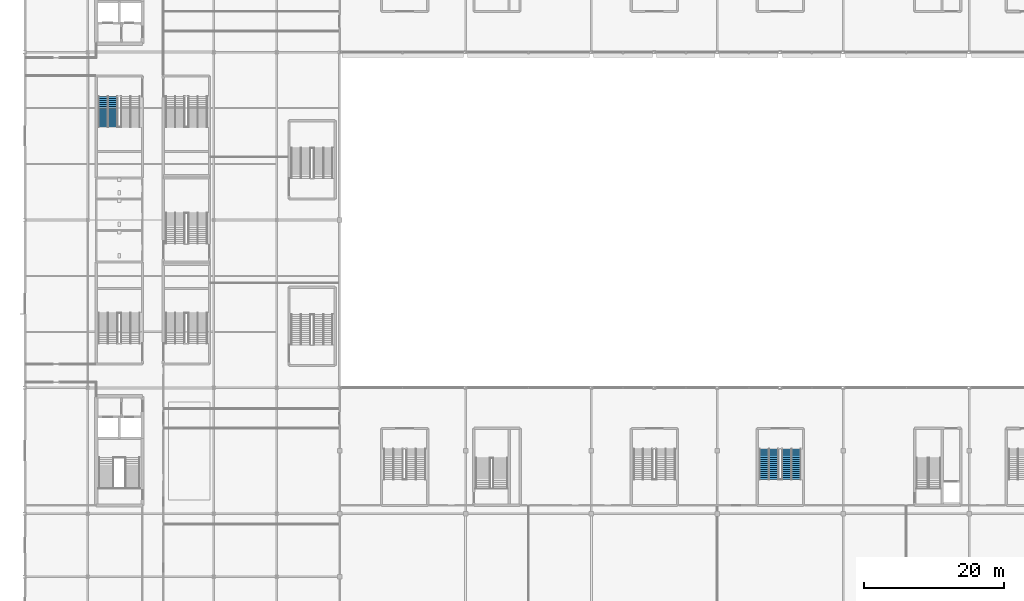
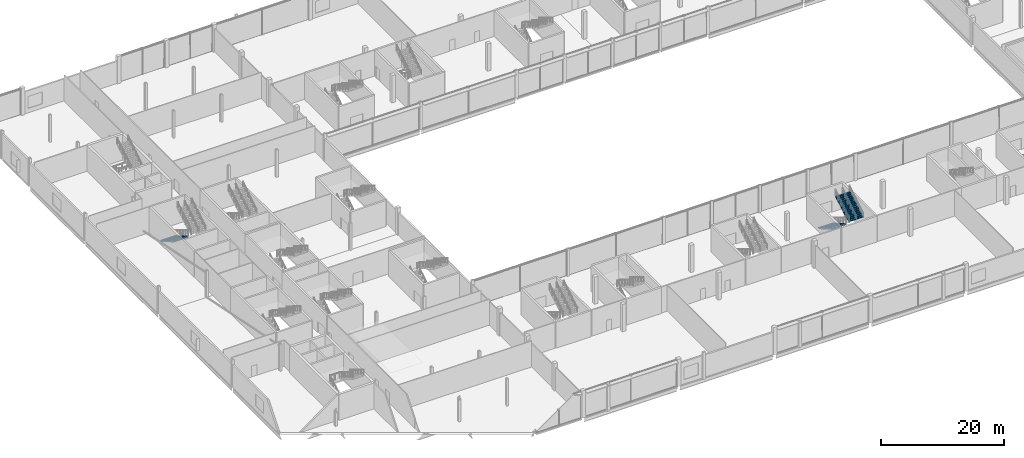
# One storey, part 85 of 111: 3 stair flights, 2 elements without a shape of their own.
"""IFC4 building model written with IfcOpenShell, lengths in metres."""

from ifc_helpers import new_model, si_unit, direction, frame, origin, place, context, subcontext, project, spatial, polygons, material, type_object, element, aggregate, save


model = new_model("IFC4")

# Units and contexts
model_context = context("Model", 3, precision=1e-05, world=origin(), true_north=direction((0.0, 1.0)))
body_context = subcontext(model_context, "Body", "Model", "MODEL_VIEW")
ifc_project = project(units=[si_unit("LENGTHUNIT", "METRE"), si_unit("AREAUNIT", "SQUARE_METRE"), si_unit("VOLUMEUNIT", "CUBIC_METRE"), si_unit("PLANEANGLEUNIT", "RADIAN"), si_unit("MASSUNIT", "GRAM", prefix="KILO")], contexts=[model_context])

# Site, building, storey
site_placement = place(None, origin())
site = spatial("IfcSite", under=ifc_project, at=site_placement, CompositionType="ELEMENT")
building_placement = place(site_placement, origin())
building = spatial("IfcBuilding", under=site, at=building_placement, Name="Kisiwana Market Hall", CompositionType="ELEMENT")
storey_placement = place(building_placement, frame((0.0, 0.0, 11.39990234375)))
storey = spatial("IfcBuildingStorey", under=building, at=storey_placement, Name="L02", CompositionType="ELEMENT", Elevation=11.39990234375)

# Stair, stair flight
ifc_material_1 = material(Name="Concrete C32/40", Category="concrete")
stair_type = type_object("IfcStairType", Name="ST-ESC-5400", PredefinedType="TWO_STRAIGHT_RUN_STAIR", material=ifc_material_1)
stair_1_placement = place(storey_placement, origin())
stair_1 = element("IfcStair", 1, at=stair_1_placement, inside=storey, type_object=stair_type, Name="Escape stair ST-W4-L02", PredefinedType="TWO_STRAIGHT_RUN_STAIR")
ifc_material_2 = material(Name="Concrete C32/40", Category="concrete")
stair_flight_type = type_object("IfcStairFlightType", Name="SF-ESC-5400", PredefinedType="STRAIGHT", material=ifc_material_2)
stair_flight_1_placement = place(storey_placement, frame((11.889892578125, 77.639892578125, 0.0), z_axis=(0.0, 0.0, 1.0), x_axis=(0.0, -1.0, 0.0)))
stair_flight_1 = element("IfcStairFlight", 2, at=stair_flight_1_placement, type_object=stair_flight_type, Name="ST-W4-L02 flight 1", NumberOfRisers=16, NumberOfTreads=15, PredefinedType="STRAIGHT", RiserHeight=0.16875, TreadLength=0.29, context=body_context, shape_type="Tessellation", body=[
    polygons([(0.0, -1.380127, 0.0), (0.0, -0.690125, 0.0), (0.0, -0.000122, 0.0), (0.0, 0.68988, 0.0), (0.0, 1.379883, 0.0), (0.0, -1.380127, 0.168701), (0.0, -0.690125, 0.168701), (0.0, -0.000122, 0.168701), (0.0, 0.68988, 0.168701), (0.0, 1.379883, 0.168701), (0.290039, -1.380127, 0.168701), (0.290039, -0.690125, 0.168701), (0.290039, -0.000122, 0.168701), (0.290039, 0.68988, 0.168701), (0.290039, 1.379883, 0.168701), (0.290039, -1.380127, 0.337402), (0.290039, -0.690125, 0.337402), (0.290039, -0.000122, 0.337402), (0.290039, 0.68988, 0.337402), (0.290039, 1.379883, 0.337402), (0.580078, -1.380127, 0.337402), (0.580078, -0.690125, 0.337402), (0.580078, -0.000122, 0.337402), (0.580078, 0.68988, 0.337402), (0.580078, 1.379883, 0.337402), (0.580078, -1.380127, 0.506348), (0.580078, -0.690125, 0.506348), (0.580078, -0.000122, 0.506348), (0.580078, 0.68988, 0.506348), (0.580078, 1.379883, 0.506348), (0.870117, -1.380127, 0.506348), (0.870117, -0.690125, 0.506348), (0.870117, -0.000122, 0.506348), (0.870117, 0.68988, 0.506348), (0.870117, 1.379883, 0.506348), (0.870117, -1.380127, 0.675049), (0.870117, -0.690125, 0.675049), (0.870117, -0.000122, 0.675049), (0.870117, 0.68988, 0.675049), (0.870117, 1.379883, 0.675049), (1.159912, -1.380127, 0.675049), (1.159912, -0.690125, 0.675049), (1.159912, -0.000122, 0.675049), (1.159912, 0.68988, 0.675049), (1.159912, 1.379883, 0.675049), (1.159912, -1.380127, 0.84375), (1.159912, -0.690125, 0.84375), (1.159912, -0.000122, 0.84375), (1.159912, 0.68988, 0.84375), (1.159912, 1.379883, 0.84375), (1.449951, -1.380127, 0.84375), (1.449951, -0.690125, 0.84375), (1.449951, -0.000122, 0.84375), (1.449951, 0.68988, 0.84375), (1.449951, 1.379883, 0.84375), (1.449951, -1.380127, 1.012451), (1.449951, -0.690125, 1.012451), (1.449951, -0.000122, 1.012451), (1.449951, 0.68988, 1.012451), (1.449951, 1.379883, 1.012451), (1.73999, -1.380127, 1.012451), (1.73999, -0.690125, 1.012451), (1.73999, -0.000122, 1.012451), (1.73999, 0.68988, 1.012451), (1.73999, 1.379883, 1.012451), (1.73999, -1.380127, 1.181152), (1.73999, -0.690125, 1.181152), (1.73999, -0.000122, 1.181152), (1.73999, 0.68988, 1.181152), (1.73999, 1.379883, 1.181152), (2.030029, -1.380127, 1.181152), (2.030029, -0.690125, 1.181152), (2.030029, -0.000122, 1.181152), (2.030029, 0.68988, 1.181152), (2.030029, 1.379883, 1.181152), (2.030029, -1.380127, 1.350098), (2.030029, -0.690125, 1.350098), (2.030029, -0.000122, 1.350098), (2.030029, 0.68988, 1.350098), (2.030029, 1.379883, 1.350098), (2.320068, -1.380127, 1.350098), (2.320068, -0.690125, 1.350098), (2.320068, -0.000122, 1.350098), (2.320068, 0.68988, 1.350098), (2.320068, 1.379883, 1.350098), (2.320068, -1.380127, 1.518799), (2.320068, -0.690125, 1.518799), (2.320068, -0.000122, 1.518799), (2.320068, 0.68988, 1.518799), (2.320068, 1.379883, 1.518799), (2.610107, -1.380127, 1.518799), (2.610107, -0.690125, 1.518799), (2.610107, -0.000122, 1.518799), (2.610107, 0.68988, 1.518799), (2.610107, 1.379883, 1.518799), (2.610107, -1.380127, 1.6875), (2.610107, -0.690125, 1.6875), (2.610107, -0.000122, 1.6875), (2.610107, 0.68988, 1.6875), (2.610107, 1.379883, 1.6875), (2.899902, -1.380127, 1.6875), (2.899902, -0.690125, 1.6875), (2.899902, -0.000122, 1.6875), (2.899902, 0.68988, 1.6875), (2.899902, 1.379883, 1.6875), (2.899902, -1.380127, 1.856201), (2.899902, -0.690125, 1.856201), (2.899902, -0.000122, 1.856201), (2.899902, 0.68988, 1.856201), (2.899902, 1.379883, 1.856201), (3.189941, -1.380127, 1.856201), (3.189941, -0.690125, 1.856201), (3.189941, -0.000122, 1.856201), (3.189941, 0.68988, 1.856201), (3.189941, 1.379883, 1.856201), (3.189941, -1.380127, 2.024902), (3.189941, -0.690125, 2.024902), (3.189941, -0.000122, 2.024902), (3.189941, 0.68988, 2.024902), (3.189941, 1.379883, 2.024902), (3.47998, -1.380127, 2.024902), (3.47998, -0.690125, 2.024902), (3.47998, -0.000122, 2.024902), (3.47998, 0.68988, 2.024902), (3.47998, 1.379883, 2.024902), (3.47998, -1.380127, 2.193848), (3.47998, -0.690125, 2.193848), (3.47998, -0.000122, 2.193848), (3.47998, 0.68988, 2.193848), (3.47998, 1.379883, 2.193848), (3.77002, -1.380127, 2.193848), (3.77002, -0.690125, 2.193848), (3.77002, -0.000122, 2.193848), (3.77002, 0.68988, 2.193848), (3.77002, 1.379883, 2.193848), (3.77002, -1.380127, 2.362549), (3.77002, -0.690125, 2.362549), (3.77002, -0.000122, 2.362549), (3.77002, 0.68988, 2.362549), (3.77002, 1.379883, 2.362549), (4.060059, -1.380127, 2.362549), (4.060059, -0.690125, 2.362549), (4.060059, -0.000122, 2.362549), (4.060059, 0.68988, 2.362549), (4.060059, 1.379883, 2.362549), (4.060059, -1.380127, 2.53125), (4.060059, -0.690125, 2.53125), (4.060059, -0.000122, 2.53125), (4.060059, 0.68988, 2.53125), (4.060059, 1.379883, 2.53125), (4.350098, -1.380127, 2.53125), (4.350098, -0.690125, 2.53125), (4.350098, -0.000122, 2.53125), (4.350098, 0.68988, 2.53125), (4.350098, 1.379883, 2.53125), (4.350098, -1.380127, 2.322998), (4.350098, -0.690125, 2.322998), (4.350098, -0.000122, 2.322998), (4.350098, 0.68988, 2.322998), (4.350098, 1.379883, 2.322998), (0.357666, -1.380127, 0.0), (0.357666, -0.690125, 0.0), (0.357666, -0.000122, 0.0), (0.357666, 0.68988, 0.0), (0.357666, 1.379883, 0.0)], [[[1, 6, 7, 2]], [[2, 7, 8, 3]], [[3, 8, 9, 4]], [[4, 9, 10, 5]], [[6, 11, 12, 7]], [[7, 12, 13, 8]], [[8, 13, 14, 9]], [[9, 14, 15, 10]], [[11, 16, 17, 12]], [[12, 17, 18, 13]], [[13, 18, 19, 14]], [[14, 19, 20, 15]], [[16, 21, 22, 17]], [[17, 22, 23, 18]], [[18, 23, 24, 19]], [[19, 24, 25, 20]], [[21, 26, 27, 22]], [[22, 27, 28, 23]], [[23, 28, 29, 24]], [[24, 29, 30, 25]], [[26, 31, 32, 27]], [[27, 32, 33, 28]], [[28, 33, 34, 29]], [[29, 34, 35, 30]], [[31, 36, 37, 32]], [[32, 37, 38, 33]], [[33, 38, 39, 34]], [[34, 39, 40, 35]], [[36, 41, 42, 37]], [[37, 42, 43, 38]], [[38, 43, 44, 39]], [[39, 44, 45, 40]], [[41, 46, 47, 42]], [[42, 47, 48, 43]], [[43, 48, 49, 44]], [[44, 49, 50, 45]], [[46, 51, 52, 47]], [[47, 52, 53, 48]], [[48, 53, 54, 49]], [[49, 54, 55, 50]], [[51, 56, 57, 52]], [[52, 57, 58, 53]], [[53, 58, 59, 54]], [[54, 59, 60, 55]], [[56, 61, 62, 57]], [[57, 62, 63, 58]], [[58, 63, 64, 59]], [[59, 64, 65, 60]], [[61, 66, 67, 62]], [[62, 67, 68, 63]], [[63, 68, 69, 64]], [[64, 69, 70, 65]], [[66, 71, 72, 67]], [[67, 72, 73, 68]], [[68, 73, 74, 69]], [[69, 74, 75, 70]], [[71, 76, 77, 72]], [[72, 77, 78, 73]], [[73, 78, 79, 74]], [[74, 79, 80, 75]], [[76, 81, 82, 77]], [[77, 82, 83, 78]], [[78, 83, 84, 79]], [[79, 84, 85, 80]], [[81, 86, 87, 82]], [[82, 87, 88, 83]], [[83, 88, 89, 84]], [[84, 89, 90, 85]], [[86, 91, 92, 87]], [[87, 92, 93, 88]], [[88, 93, 94, 89]], [[89, 94, 95, 90]], [[91, 96, 97, 92]], [[92, 97, 98, 93]], [[93, 98, 99, 94]], [[94, 99, 100, 95]], [[96, 101, 102, 97]], [[97, 102, 103, 98]], [[98, 103, 104, 99]], [[99, 104, 105, 100]], [[101, 106, 107, 102]], [[102, 107, 108, 103]], [[103, 108, 109, 104]], [[104, 109, 110, 105]], [[106, 111, 112, 107]], [[107, 112, 113, 108]], [[108, 113, 114, 109]], [[109, 114, 115, 110]], [[111, 116, 117, 112]], [[112, 117, 118, 113]], [[113, 118, 119, 114]], [[114, 119, 120, 115]], [[116, 121, 122, 117]], [[117, 122, 123, 118]], [[118, 123, 124, 119]], [[119, 124, 125, 120]], [[121, 126, 127, 122]], [[122, 127, 128, 123]], [[123, 128, 129, 124]], [[124, 129, 130, 125]], [[126, 131, 132, 127]], [[127, 132, 133, 128]], [[128, 133, 134, 129]], [[129, 134, 135, 130]], [[131, 136, 137, 132]], [[132, 137, 138, 133]], [[133, 138, 139, 134]], [[134, 139, 140, 135]], [[136, 141, 142, 137]], [[137, 142, 143, 138]], [[138, 143, 144, 139]], [[139, 144, 145, 140]], [[141, 146, 147, 142]], [[142, 147, 148, 143]], [[143, 148, 149, 144]], [[144, 149, 150, 145]], [[146, 151, 152, 147]], [[147, 152, 153, 148]], [[148, 153, 154, 149]], [[149, 154, 155, 150]], [[151, 156, 157, 152]], [[152, 157, 158, 153]], [[153, 158, 159, 154]], [[154, 159, 160, 155]], [[156, 161, 162, 157]], [[157, 162, 163, 158]], [[158, 163, 164, 159]], [[159, 164, 165, 160]], [[161, 1, 2, 162]], [[162, 2, 3, 163]], [[163, 3, 4, 164]], [[164, 4, 5, 165]], [[161, 156, 151, 146, 141, 136, 131, 126, 121, 116, 111, 106, 101, 96, 91, 86, 81, 76, 71, 66, 61, 56, 51, 46, 41, 36, 31, 26, 21, 16, 11, 6, 1]], [[5, 10, 15, 20, 25, 30, 35, 40, 45, 50, 55, 60, 65, 70, 75, 80, 85, 90, 95, 100, 105, 110, 115, 120, 125, 130, 135, 140, 145, 150, 155, 160, 165]]], closed=True),
])
aggregate(stair_1, [stair_flight_1])

# Stair, stair flights
stair_2_placement = place(storey_placement, origin())
stair_2 = element("IfcStair", 3, at=stair_2_placement, inside=storey, type_object=stair_type, Name="Escape stair ST-S5-L02", PredefinedType="TWO_STRAIGHT_RUN_STAIR")
stair_flight_2_placement = place(storey_placement, frame((106.389892578125, 27.239990234375, 0.0), z_axis=(0.0, 0.0, 1.0), x_axis=(0.0, -1.0, 0.0)))
stair_flight_2 = element("IfcStairFlight", 4, at=stair_flight_2_placement, type_object=stair_flight_type, Name="ST-S5-L02 flight 1", NumberOfRisers=16, NumberOfTreads=15, PredefinedType="STRAIGHT", RiserHeight=0.16875, TreadLength=0.29, context=body_context, shape_type="Tessellation", body=[
    polygons([(0.0, -1.380127, 0.0), (0.0, -0.690125, 0.0), (0.0, -0.000122, 0.0), (0.0, 0.68988, 0.0), (0.0, 1.379883, 0.0), (0.0, -1.380127, 0.168701), (0.0, -0.690125, 0.168701), (0.0, -0.000122, 0.168701), (0.0, 0.68988, 0.168701), (0.0, 1.379883, 0.168701), (0.290039, -1.380127, 0.168701), (0.290039, -0.690125, 0.168701), (0.290039, -0.000122, 0.168701), (0.290039, 0.68988, 0.168701), (0.290039, 1.379883, 0.168701), (0.290039, -1.380127, 0.337402), (0.290039, -0.690125, 0.337402), (0.290039, -0.000122, 0.337402), (0.290039, 0.68988, 0.337402), (0.290039, 1.379883, 0.337402), (0.580078, -1.380127, 0.337402), (0.580078, -0.690125, 0.337402), (0.580078, -0.000122, 0.337402), (0.580078, 0.68988, 0.337402), (0.580078, 1.379883, 0.337402), (0.580078, -1.380127, 0.506348), (0.580078, -0.690125, 0.506348), (0.580078, -0.000122, 0.506348), (0.580078, 0.68988, 0.506348), (0.580078, 1.379883, 0.506348), (0.870117, -1.380127, 0.506348), (0.870117, -0.690125, 0.506348), (0.870117, -0.000122, 0.506348), (0.870117, 0.68988, 0.506348), (0.870117, 1.379883, 0.506348), (0.870117, -1.380127, 0.675049), (0.870117, -0.690125, 0.675049), (0.870117, -0.000122, 0.675049), (0.870117, 0.68988, 0.675049), (0.870117, 1.379883, 0.675049), (1.159912, -1.380127, 0.675049), (1.159912, -0.690125, 0.675049), (1.159912, -0.000122, 0.675049), (1.159912, 0.68988, 0.675049), (1.159912, 1.379883, 0.675049), (1.159912, -1.380127, 0.84375), (1.159912, -0.690125, 0.84375), (1.159912, -0.000122, 0.84375), (1.159912, 0.68988, 0.84375), (1.159912, 1.379883, 0.84375), (1.449951, -1.380127, 0.84375), (1.449951, -0.690125, 0.84375), (1.449951, -0.000122, 0.84375), (1.449951, 0.68988, 0.84375), (1.449951, 1.379883, 0.84375), (1.449951, -1.380127, 1.012451), (1.449951, -0.690125, 1.012451), (1.449951, -0.000122, 1.012451), (1.449951, 0.68988, 1.012451), (1.449951, 1.379883, 1.012451), (1.73999, -1.380127, 1.012451), (1.73999, -0.690125, 1.012451), (1.73999, -0.000122, 1.012451), (1.73999, 0.68988, 1.012451), (1.73999, 1.379883, 1.012451), (1.73999, -1.380127, 1.181152), (1.73999, -0.690125, 1.181152), (1.73999, -0.000122, 1.181152), (1.73999, 0.68988, 1.181152), (1.73999, 1.379883, 1.181152), (2.030029, -1.380127, 1.181152), (2.030029, -0.690125, 1.181152), (2.030029, -0.000122, 1.181152), (2.030029, 0.68988, 1.181152), (2.030029, 1.379883, 1.181152), (2.030029, -1.380127, 1.350098), (2.030029, -0.690125, 1.350098), (2.030029, -0.000122, 1.350098), (2.030029, 0.68988, 1.350098), (2.030029, 1.379883, 1.350098), (2.320068, -1.380127, 1.350098), (2.320068, -0.690125, 1.350098), (2.320068, -0.000122, 1.350098), (2.320068, 0.68988, 1.350098), (2.320068, 1.379883, 1.350098), (2.320068, -1.380127, 1.518799), (2.320068, -0.690125, 1.518799), (2.320068, -0.000122, 1.518799), (2.320068, 0.68988, 1.518799), (2.320068, 1.379883, 1.518799), (2.610107, -1.380127, 1.518799), (2.610107, -0.690125, 1.518799), (2.610107, -0.000122, 1.518799), (2.610107, 0.68988, 1.518799), (2.610107, 1.379883, 1.518799), (2.610107, -1.380127, 1.6875), (2.610107, -0.690125, 1.6875), (2.610107, -0.000122, 1.6875), (2.610107, 0.68988, 1.6875), (2.610107, 1.379883, 1.6875), (2.899902, -1.380127, 1.6875), (2.899902, -0.690125, 1.6875), (2.899902, -0.000122, 1.6875), (2.899902, 0.68988, 1.6875), (2.899902, 1.379883, 1.6875), (2.899902, -1.380127, 1.856201), (2.899902, -0.690125, 1.856201), (2.899902, -0.000122, 1.856201), (2.899902, 0.68988, 1.856201), (2.899902, 1.379883, 1.856201), (3.189941, -1.380127, 1.856201), (3.189941, -0.690125, 1.856201), (3.189941, -0.000122, 1.856201), (3.189941, 0.68988, 1.856201), (3.189941, 1.379883, 1.856201), (3.189941, -1.380127, 2.024902), (3.189941, -0.690125, 2.024902), (3.189941, -0.000122, 2.024902), (3.189941, 0.68988, 2.024902), (3.189941, 1.379883, 2.024902), (3.47998, -1.380127, 2.024902), (3.47998, -0.690125, 2.024902), (3.47998, -0.000122, 2.024902), (3.47998, 0.68988, 2.024902), (3.47998, 1.379883, 2.024902), (3.47998, -1.380127, 2.193848), (3.47998, -0.690125, 2.193848), (3.47998, -0.000122, 2.193848), (3.47998, 0.68988, 2.193848), (3.47998, 1.379883, 2.193848), (3.77002, -1.380127, 2.193848), (3.77002, -0.690125, 2.193848), (3.77002, -0.000122, 2.193848), (3.77002, 0.68988, 2.193848), (3.77002, 1.379883, 2.193848), (3.77002, -1.380127, 2.362549), (3.77002, -0.690125, 2.362549), (3.77002, -0.000122, 2.362549), (3.77002, 0.68988, 2.362549), (3.77002, 1.379883, 2.362549), (4.060059, -1.380127, 2.362549), (4.060059, -0.690125, 2.362549), (4.060059, -0.000122, 2.362549), (4.060059, 0.68988, 2.362549), (4.060059, 1.379883, 2.362549), (4.060059, -1.380127, 2.53125), (4.060059, -0.690125, 2.53125), (4.060059, -0.000122, 2.53125), (4.060059, 0.68988, 2.53125), (4.060059, 1.379883, 2.53125), (4.350098, -1.380127, 2.53125), (4.350098, -0.690125, 2.53125), (4.350098, -0.000122, 2.53125), (4.350098, 0.68988, 2.53125), (4.350098, 1.379883, 2.53125), (4.350098, -1.380127, 2.322998), (4.350098, -0.690125, 2.322998), (4.350098, -0.000122, 2.322998), (4.350098, 0.68988, 2.322998), (4.350098, 1.379883, 2.322998), (0.357666, -1.380127, 0.0), (0.357666, -0.690125, 0.0), (0.357666, -0.000122, 0.0), (0.357666, 0.68988, 0.0), (0.357666, 1.379883, 0.0)], [[[1, 6, 7, 2]], [[2, 7, 8, 3]], [[3, 8, 9, 4]], [[4, 9, 10, 5]], [[6, 11, 12, 7]], [[7, 12, 13, 8]], [[8, 13, 14, 9]], [[9, 14, 15, 10]], [[11, 16, 17, 12]], [[12, 17, 18, 13]], [[13, 18, 19, 14]], [[14, 19, 20, 15]], [[16, 21, 22, 17]], [[17, 22, 23, 18]], [[18, 23, 24, 19]], [[19, 24, 25, 20]], [[21, 26, 27, 22]], [[22, 27, 28, 23]], [[23, 28, 29, 24]], [[24, 29, 30, 25]], [[26, 31, 32, 27]], [[27, 32, 33, 28]], [[28, 33, 34, 29]], [[29, 34, 35, 30]], [[31, 36, 37, 32]], [[32, 37, 38, 33]], [[33, 38, 39, 34]], [[34, 39, 40, 35]], [[36, 41, 42, 37]], [[37, 42, 43, 38]], [[38, 43, 44, 39]], [[39, 44, 45, 40]], [[41, 46, 47, 42]], [[42, 47, 48, 43]], [[43, 48, 49, 44]], [[44, 49, 50, 45]], [[46, 51, 52, 47]], [[47, 52, 53, 48]], [[48, 53, 54, 49]], [[49, 54, 55, 50]], [[51, 56, 57, 52]], [[52, 57, 58, 53]], [[53, 58, 59, 54]], [[54, 59, 60, 55]], [[56, 61, 62, 57]], [[57, 62, 63, 58]], [[58, 63, 64, 59]], [[59, 64, 65, 60]], [[61, 66, 67, 62]], [[62, 67, 68, 63]], [[63, 68, 69, 64]], [[64, 69, 70, 65]], [[66, 71, 72, 67]], [[67, 72, 73, 68]], [[68, 73, 74, 69]], [[69, 74, 75, 70]], [[71, 76, 77, 72]], [[72, 77, 78, 73]], [[73, 78, 79, 74]], [[74, 79, 80, 75]], [[76, 81, 82, 77]], [[77, 82, 83, 78]], [[78, 83, 84, 79]], [[79, 84, 85, 80]], [[81, 86, 87, 82]], [[82, 87, 88, 83]], [[83, 88, 89, 84]], [[84, 89, 90, 85]], [[86, 91, 92, 87]], [[87, 92, 93, 88]], [[88, 93, 94, 89]], [[89, 94, 95, 90]], [[91, 96, 97, 92]], [[92, 97, 98, 93]], [[93, 98, 99, 94]], [[94, 99, 100, 95]], [[96, 101, 102, 97]], [[97, 102, 103, 98]], [[98, 103, 104, 99]], [[99, 104, 105, 100]], [[101, 106, 107, 102]], [[102, 107, 108, 103]], [[103, 108, 109, 104]], [[104, 109, 110, 105]], [[106, 111, 112, 107]], [[107, 112, 113, 108]], [[108, 113, 114, 109]], [[109, 114, 115, 110]], [[111, 116, 117, 112]], [[112, 117, 118, 113]], [[113, 118, 119, 114]], [[114, 119, 120, 115]], [[116, 121, 122, 117]], [[117, 122, 123, 118]], [[118, 123, 124, 119]], [[119, 124, 125, 120]], [[121, 126, 127, 122]], [[122, 127, 128, 123]], [[123, 128, 129, 124]], [[124, 129, 130, 125]], [[126, 131, 132, 127]], [[127, 132, 133, 128]], [[128, 133, 134, 129]], [[129, 134, 135, 130]], [[131, 136, 137, 132]], [[132, 137, 138, 133]], [[133, 138, 139, 134]], [[134, 139, 140, 135]], [[136, 141, 142, 137]], [[137, 142, 143, 138]], [[138, 143, 144, 139]], [[139, 144, 145, 140]], [[141, 146, 147, 142]], [[142, 147, 148, 143]], [[143, 148, 149, 144]], [[144, 149, 150, 145]], [[146, 151, 152, 147]], [[147, 152, 153, 148]], [[148, 153, 154, 149]], [[149, 154, 155, 150]], [[151, 156, 157, 152]], [[152, 157, 158, 153]], [[153, 158, 159, 154]], [[154, 159, 160, 155]], [[156, 161, 162, 157]], [[157, 162, 163, 158]], [[158, 163, 164, 159]], [[159, 164, 165, 160]], [[161, 1, 2, 162]], [[162, 2, 3, 163]], [[163, 3, 4, 164]], [[164, 4, 5, 165]], [[161, 156, 151, 146, 141, 136, 131, 126, 121, 116, 111, 106, 101, 96, 91, 86, 81, 76, 71, 66, 61, 56, 51, 46, 41, 36, 31, 26, 21, 16, 11, 6, 1]], [[5, 10, 15, 20, 25, 30, 35, 40, 45, 50, 55, 60, 65, 70, 75, 80, 85, 90, 95, 100, 105, 110, 115, 120, 125, 130, 135, 140, 145, 150, 155, 160, 165]]], closed=True),
])
stair_flight_3_placement = place(storey_placement, frame((109.610107421875, 22.889892578125, 2.7001953125), z_axis=(0.0, 0.0, 1.0), x_axis=(0.0, 1.0, 0.0)))
stair_flight_3 = element("IfcStairFlight", 5, at=stair_flight_3_placement, type_object=stair_flight_type, Name="ST-S5-L02 flight 2", NumberOfRisers=16, NumberOfTreads=15, PredefinedType="STRAIGHT", RiserHeight=0.16875, TreadLength=0.29, context=body_context, shape_type="Tessellation", body=[
    polygons([(0.0, -1.380127, 0.0), (0.0, -0.690125, 0.0), (0.0, -0.000122, 0.0), (0.0, 0.68988, 0.0), (0.0, 1.379883, 0.0), (0.0, -1.380127, 0.168701), (0.0, -0.690125, 0.168701), (0.0, -0.000122, 0.168701), (0.0, 0.68988, 0.168701), (0.0, 1.379883, 0.168701), (0.290039, -1.380127, 0.168701), (0.290039, -0.690125, 0.168701), (0.290039, -0.000122, 0.168701), (0.290039, 0.68988, 0.168701), (0.290039, 1.379883, 0.168701), (0.290039, -1.380127, 0.337402), (0.290039, -0.690125, 0.337402), (0.290039, -0.000122, 0.337402), (0.290039, 0.68988, 0.337402), (0.290039, 1.379883, 0.337402), (0.580078, -1.380127, 0.337402), (0.580078, -0.690125, 0.337402), (0.580078, -0.000122, 0.337402), (0.580078, 0.68988, 0.337402), (0.580078, 1.379883, 0.337402), (0.580078, -1.380127, 0.506348), (0.580078, -0.690125, 0.506348), (0.580078, -0.000122, 0.506348), (0.580078, 0.68988, 0.506348), (0.580078, 1.379883, 0.506348), (0.870117, -1.380127, 0.506348), (0.870117, -0.690125, 0.506348), (0.870117, -0.000122, 0.506348), (0.870117, 0.68988, 0.506348), (0.870117, 1.379883, 0.506348), (0.870117, -1.380127, 0.675049), (0.870117, -0.690125, 0.675049), (0.870117, -0.000122, 0.675049), (0.870117, 0.68988, 0.675049), (0.870117, 1.379883, 0.675049), (1.159912, -1.380127, 0.675049), (1.159912, -0.690125, 0.675049), (1.159912, -0.000122, 0.675049), (1.159912, 0.68988, 0.675049), (1.159912, 1.379883, 0.675049), (1.159912, -1.380127, 0.84375), (1.159912, -0.690125, 0.84375), (1.159912, -0.000122, 0.84375), (1.159912, 0.68988, 0.84375), (1.159912, 1.379883, 0.84375), (1.449951, -1.380127, 0.84375), (1.449951, -0.690125, 0.84375), (1.449951, -0.000122, 0.84375), (1.449951, 0.68988, 0.84375), (1.449951, 1.379883, 0.84375), (1.449951, -1.380127, 1.012451), (1.449951, -0.690125, 1.012451), (1.449951, -0.000122, 1.012451), (1.449951, 0.68988, 1.012451), (1.449951, 1.379883, 1.012451), (1.73999, -1.380127, 1.012451), (1.73999, -0.690125, 1.012451), (1.73999, -0.000122, 1.012451), (1.73999, 0.68988, 1.012451), (1.73999, 1.379883, 1.012451), (1.73999, -1.380127, 1.181152), (1.73999, -0.690125, 1.181152), (1.73999, -0.000122, 1.181152), (1.73999, 0.68988, 1.181152), (1.73999, 1.379883, 1.181152), (2.030029, -1.380127, 1.181152), (2.030029, -0.690125, 1.181152), (2.030029, -0.000122, 1.181152), (2.030029, 0.68988, 1.181152), (2.030029, 1.379883, 1.181152), (2.030029, -1.380127, 1.350098), (2.030029, -0.690125, 1.350098), (2.030029, -0.000122, 1.350098), (2.030029, 0.68988, 1.350098), (2.030029, 1.379883, 1.350098), (2.320068, -1.380127, 1.350098), (2.320068, -0.690125, 1.350098), (2.320068, -0.000122, 1.350098), (2.320068, 0.68988, 1.350098), (2.320068, 1.379883, 1.350098), (2.320068, -1.380127, 1.518799), (2.320068, -0.690125, 1.518799), (2.320068, -0.000122, 1.518799), (2.320068, 0.68988, 1.518799), (2.320068, 1.379883, 1.518799), (2.610107, -1.380127, 1.518799), (2.610107, -0.690125, 1.518799), (2.610107, -0.000122, 1.518799), (2.610107, 0.68988, 1.518799), (2.610107, 1.379883, 1.518799), (2.610107, -1.380127, 1.6875), (2.610107, -0.690125, 1.6875), (2.610107, -0.000122, 1.6875), (2.610107, 0.68988, 1.6875), (2.610107, 1.379883, 1.6875), (2.899902, -1.380127, 1.6875), (2.899902, -0.690125, 1.6875), (2.899902, -0.000122, 1.6875), (2.899902, 0.68988, 1.6875), (2.899902, 1.379883, 1.6875), (2.899902, -1.380127, 1.856201), (2.899902, -0.690125, 1.856201), (2.899902, -0.000122, 1.856201), (2.899902, 0.68988, 1.856201), (2.899902, 1.379883, 1.856201), (3.189941, -1.380127, 1.856201), (3.189941, -0.690125, 1.856201), (3.189941, -0.000122, 1.856201), (3.189941, 0.68988, 1.856201), (3.189941, 1.379883, 1.856201), (3.189941, -1.380127, 2.024902), (3.189941, -0.690125, 2.024902), (3.189941, -0.000122, 2.024902), (3.189941, 0.68988, 2.024902), (3.189941, 1.379883, 2.024902), (3.47998, -1.380127, 2.024902), (3.47998, -0.690125, 2.024902), (3.47998, -0.000122, 2.024902), (3.47998, 0.68988, 2.024902), (3.47998, 1.379883, 2.024902), (3.47998, -1.380127, 2.193848), (3.47998, -0.690125, 2.193848), (3.47998, -0.000122, 2.193848), (3.47998, 0.68988, 2.193848), (3.47998, 1.379883, 2.193848), (3.77002, -1.380127, 2.193848), (3.77002, -0.690125, 2.193848), (3.77002, -0.000122, 2.193848), (3.77002, 0.68988, 2.193848), (3.77002, 1.379883, 2.193848), (3.77002, -1.380127, 2.362549), (3.77002, -0.690125, 2.362549), (3.77002, -0.000122, 2.362549), (3.77002, 0.68988, 2.362549), (3.77002, 1.379883, 2.362549), (4.060059, -1.380127, 2.362549), (4.060059, -0.690125, 2.362549), (4.060059, -0.000122, 2.362549), (4.060059, 0.68988, 2.362549), (4.060059, 1.379883, 2.362549), (4.060059, -1.380127, 2.53125), (4.060059, -0.690125, 2.53125), (4.060059, -0.000122, 2.53125), (4.060059, 0.68988, 2.53125), (4.060059, 1.379883, 2.53125), (4.350098, -1.380127, 2.53125), (4.350098, -0.690125, 2.53125), (4.350098, -0.000122, 2.53125), (4.350098, 0.68988, 2.53125), (4.350098, 1.379883, 2.53125), (4.350098, -1.380127, 2.322998), (4.350098, -0.690125, 2.322998), (4.350098, -0.000122, 2.322998), (4.350098, 0.68988, 2.322998), (4.350098, 1.379883, 2.322998), (0.357666, -1.380127, 0.0), (0.357666, -0.690125, 0.0), (0.357666, -0.000122, 0.0), (0.357666, 0.68988, 0.0), (0.357666, 1.379883, 0.0)], [[[1, 6, 7, 2]], [[2, 7, 8, 3]], [[3, 8, 9, 4]], [[4, 9, 10, 5]], [[6, 11, 12, 7]], [[7, 12, 13, 8]], [[8, 13, 14, 9]], [[9, 14, 15, 10]], [[11, 16, 17, 12]], [[12, 17, 18, 13]], [[13, 18, 19, 14]], [[14, 19, 20, 15]], [[16, 21, 22, 17]], [[17, 22, 23, 18]], [[18, 23, 24, 19]], [[19, 24, 25, 20]], [[21, 26, 27, 22]], [[22, 27, 28, 23]], [[23, 28, 29, 24]], [[24, 29, 30, 25]], [[26, 31, 32, 27]], [[27, 32, 33, 28]], [[28, 33, 34, 29]], [[29, 34, 35, 30]], [[31, 36, 37, 32]], [[32, 37, 38, 33]], [[33, 38, 39, 34]], [[34, 39, 40, 35]], [[36, 41, 42, 37]], [[37, 42, 43, 38]], [[38, 43, 44, 39]], [[39, 44, 45, 40]], [[41, 46, 47, 42]], [[42, 47, 48, 43]], [[43, 48, 49, 44]], [[44, 49, 50, 45]], [[46, 51, 52, 47]], [[47, 52, 53, 48]], [[48, 53, 54, 49]], [[49, 54, 55, 50]], [[51, 56, 57, 52]], [[52, 57, 58, 53]], [[53, 58, 59, 54]], [[54, 59, 60, 55]], [[56, 61, 62, 57]], [[57, 62, 63, 58]], [[58, 63, 64, 59]], [[59, 64, 65, 60]], [[61, 66, 67, 62]], [[62, 67, 68, 63]], [[63, 68, 69, 64]], [[64, 69, 70, 65]], [[66, 71, 72, 67]], [[67, 72, 73, 68]], [[68, 73, 74, 69]], [[69, 74, 75, 70]], [[71, 76, 77, 72]], [[72, 77, 78, 73]], [[73, 78, 79, 74]], [[74, 79, 80, 75]], [[76, 81, 82, 77]], [[77, 82, 83, 78]], [[78, 83, 84, 79]], [[79, 84, 85, 80]], [[81, 86, 87, 82]], [[82, 87, 88, 83]], [[83, 88, 89, 84]], [[84, 89, 90, 85]], [[86, 91, 92, 87]], [[87, 92, 93, 88]], [[88, 93, 94, 89]], [[89, 94, 95, 90]], [[91, 96, 97, 92]], [[92, 97, 98, 93]], [[93, 98, 99, 94]], [[94, 99, 100, 95]], [[96, 101, 102, 97]], [[97, 102, 103, 98]], [[98, 103, 104, 99]], [[99, 104, 105, 100]], [[101, 106, 107, 102]], [[102, 107, 108, 103]], [[103, 108, 109, 104]], [[104, 109, 110, 105]], [[106, 111, 112, 107]], [[107, 112, 113, 108]], [[108, 113, 114, 109]], [[109, 114, 115, 110]], [[111, 116, 117, 112]], [[112, 117, 118, 113]], [[113, 118, 119, 114]], [[114, 119, 120, 115]], [[116, 121, 122, 117]], [[117, 122, 123, 118]], [[118, 123, 124, 119]], [[119, 124, 125, 120]], [[121, 126, 127, 122]], [[122, 127, 128, 123]], [[123, 128, 129, 124]], [[124, 129, 130, 125]], [[126, 131, 132, 127]], [[127, 132, 133, 128]], [[128, 133, 134, 129]], [[129, 134, 135, 130]], [[131, 136, 137, 132]], [[132, 137, 138, 133]], [[133, 138, 139, 134]], [[134, 139, 140, 135]], [[136, 141, 142, 137]], [[137, 142, 143, 138]], [[138, 143, 144, 139]], [[139, 144, 145, 140]], [[141, 146, 147, 142]], [[142, 147, 148, 143]], [[143, 148, 149, 144]], [[144, 149, 150, 145]], [[146, 151, 152, 147]], [[147, 152, 153, 148]], [[148, 153, 154, 149]], [[149, 154, 155, 150]], [[151, 156, 157, 152]], [[152, 157, 158, 153]], [[153, 158, 159, 154]], [[154, 159, 160, 155]], [[156, 161, 162, 157]], [[157, 162, 163, 158]], [[158, 163, 164, 159]], [[159, 164, 165, 160]], [[161, 1, 2, 162]], [[162, 2, 3, 163]], [[163, 3, 4, 164]], [[164, 4, 5, 165]], [[161, 156, 151, 146, 141, 136, 131, 126, 121, 116, 111, 106, 101, 96, 91, 86, 81, 76, 71, 66, 61, 56, 51, 46, 41, 36, 31, 26, 21, 16, 11, 6, 1]], [[5, 10, 15, 20, 25, 30, 35, 40, 45, 50, 55, 60, 65, 70, 75, 80, 85, 90, 95, 100, 105, 110, 115, 120, 125, 130, 135, 140, 145, 150, 155, 160, 165]]], closed=True),
])
aggregate(stair_2, [stair_flight_2, stair_flight_3])

save(model, "model.ifc")
